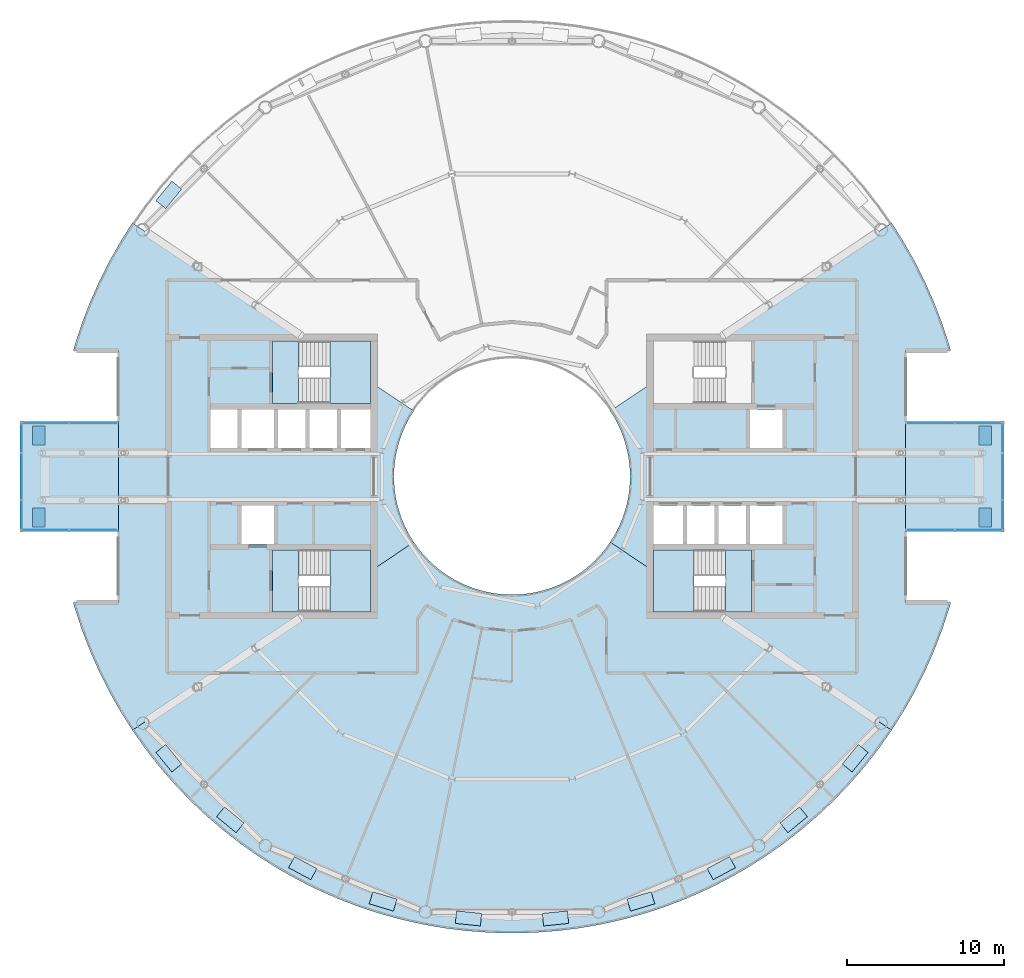
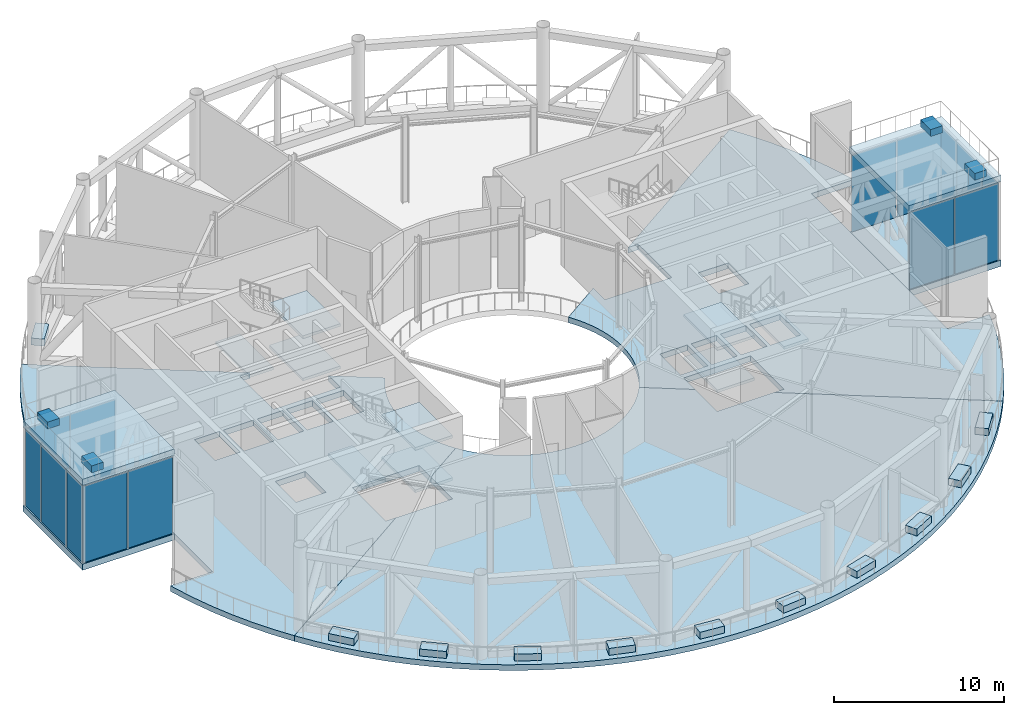
# One storey, part 11 of 24: 31 slabs, 14 plates, 9 elements without a shape of their own.
"""IFC4 building model written with IfcOpenShell, lengths in metres."""

from ifc_helpers import new_model, si_unit, direction, frame, origin, origin_2d, place, context, subcontext, project, spatial, polyline, rectangle, outline, extrude, material, layer, layer_set, type_object, element, aggregate, save


model = new_model("IFC4")

# Units and contexts
model_context = context("Model", 3, precision=1e-05, world=origin(), true_north=direction((0.0, 1.0)))
body_context = subcontext(model_context, "Body", "Model", "MODEL_VIEW")
ifc_project = project(units=[si_unit("LENGTHUNIT", "METRE"), si_unit("AREAUNIT", "SQUARE_METRE"), si_unit("VOLUMEUNIT", "CUBIC_METRE"), si_unit("PLANEANGLEUNIT", "RADIAN"), si_unit("MASSUNIT", "GRAM", prefix="KILO")], contexts=[model_context])

# Site, building, storey
site_placement = place(None, origin())
site = spatial("IfcSite", under=ifc_project, at=site_placement, CompositionType="ELEMENT")
building_placement = place(site_placement, origin())
building = spatial("IfcBuilding", under=site, at=building_placement, Name="Maasbend Ring Residences", CompositionType="ELEMENT")
storey_placement = place(building_placement, frame((0.0, 0.0, 221.85009765625)))
storey = spatial("IfcBuildingStorey", under=building, at=storey_placement, Name="L64", CompositionType="ELEMENT", Elevation=221.85009765625)

# Stair, slabs
ifc_material_1 = material(Name="Concrete C40/50", Category="concrete")
stair_type = type_object("IfcStairType", Name="CORE STAIR 36 RISERS", PredefinedType="HALF_TURN_STAIR", material=ifc_material_1)
stair_1_placement = place(storey_placement, origin())
stair_1 = element("IfcStair", 1, at=stair_1_placement, inside=storey, type_object=stair_type, Name="L64 Exit stair ST-E2", PredefinedType="HALF_TURN_STAIR")
ifc_material_2 = material(Name="Concrete C40/50", Category="concrete")
ifc_layer_1 = layer(ifc_material_2, 0.199951171875)
ifc_layer_set_1 = layer_set([ifc_layer_1], Name="Concrete C40/50")
slab_type_1 = type_object("IfcSlabType", Name="CORE STAIR LANDING 200", PredefinedType="LANDING", material=ifc_layer_set_1)
slab_1_placement = place(storey_placement, frame((0.0, 0.0, 1.324951171875)))
slab_1 = element("IfcSlab", 2, at=slab_1_placement, type_object=slab_type_1, Name="ST-E2 landing 1", PredefinedType="LANDING", context=body_context, shape_type="SweptSolid", body=[
    extrude(outline(polyline([(11.550048828125, -4.64990234375), (9.0, -4.64990234375), (9.0, -8.60009765625), (11.550048828125, -8.60009765625), (11.550048828125, -4.64990234375)])), origin(), (0.0, 0.0, 1.0), 0.199951171875),
])
slab_2_placement = place(storey_placement, frame((0.0, 0.0, 2.849853515625)))
slab_2 = element("IfcSlab", 3, at=slab_2_placement, type_object=slab_type_1, Name="ST-E2 landing 2", PredefinedType="LANDING", context=body_context, shape_type="SweptSolid", body=[
    extrude(outline(polyline([(15.199951171875, -4.64990234375), (13.550048828125, -4.64990234375), (13.550048828125, -8.60009765625), (15.199951171875, -8.60009765625), (15.199951171875, -4.64990234375)])), origin(), (0.0, 0.0, 1.0), 0.199951171875),
])
slab_3_placement = place(storey_placement, frame((0.0, 0.0, 4.375)))
slab_3 = element("IfcSlab", 4, at=slab_3_placement, type_object=slab_type_1, Name="ST-E2 landing 3", PredefinedType="LANDING", context=body_context, shape_type="SweptSolid", body=[
    extrude(outline(polyline([(11.550048828125, -4.64990234375), (9.0, -4.64990234375), (9.0, -8.60009765625), (11.550048828125, -8.60009765625), (11.550048828125, -4.64990234375)])), origin(), (0.0, 0.0, 1.0), 0.199951171875),
])
aggregate(stair_1, [slab_1, slab_2, slab_3])

stair_2_placement = place(storey_placement, origin())
stair_2 = element("IfcStair", 5, at=stair_2_placement, inside=storey, type_object=stair_type, Name="L64 Exit stair ST-W1", PredefinedType="HALF_TURN_STAIR")
slab_4_placement = place(storey_placement, frame((0.0, 0.0, 1.324951171875)))
slab_4 = element("IfcSlab", 6, at=slab_4_placement, type_object=slab_type_1, Name="ST-W1 landing 1", PredefinedType="LANDING", context=body_context, shape_type="SweptSolid", body=[
    extrude(outline(polyline([(-11.550048828125, -8.60009765625), (-9.0, -8.60009765625), (-9.0, -4.64990234375), (-11.550048828125, -4.64990234375), (-11.550048828125, -8.60009765625)])), origin(), (0.0, 0.0, 1.0), 0.199951171875),
])
slab_5_placement = place(storey_placement, frame((0.0, 0.0, 2.849853515625)))
slab_5 = element("IfcSlab", 7, at=slab_5_placement, type_object=slab_type_1, Name="ST-W1 landing 2", PredefinedType="LANDING", context=body_context, shape_type="SweptSolid", body=[
    extrude(outline(polyline([(-15.199951171875, -8.60009765625), (-13.550048828125, -8.60009765625), (-13.550048828125, -4.64990234375), (-15.199951171875, -4.64990234375), (-15.199951171875, -8.60009765625)])), origin(), (0.0, 0.0, 1.0), 0.199951171875),
])
slab_6_placement = place(storey_placement, frame((0.0, 0.0, 4.375)))
slab_6 = element("IfcSlab", 8, at=slab_6_placement, type_object=slab_type_1, Name="ST-W1 landing 3", PredefinedType="LANDING", context=body_context, shape_type="SweptSolid", body=[
    extrude(outline(polyline([(-11.550048828125, -8.60009765625), (-9.0, -8.60009765625), (-9.0, -4.64990234375), (-11.550048828125, -4.64990234375), (-11.550048828125, -8.60009765625)])), origin(), (0.0, 0.0, 1.0), 0.199951171875),
])
aggregate(stair_2, [slab_4, slab_5, slab_6])

stair_3_placement = place(storey_placement, origin())
stair_3 = element("IfcStair", 9, at=stair_3_placement, inside=storey, type_object=stair_type, Name="L64 Exit stair ST-W2", PredefinedType="HALF_TURN_STAIR")
slab_7_placement = place(storey_placement, frame((0.0, 0.0, 1.324951171875)))
slab_7 = element("IfcSlab", 10, at=slab_7_placement, type_object=slab_type_1, Name="ST-W2 landing 1", PredefinedType="LANDING", context=body_context, shape_type="SweptSolid", body=[
    extrude(outline(polyline([(-11.550048828125, 4.64990234375), (-9.0, 4.64990234375), (-9.0, 8.60009765625), (-11.550048828125, 8.60009765625), (-11.550048828125, 4.64990234375)])), origin(), (0.0, 0.0, 1.0), 0.199951171875),
])
slab_8_placement = place(storey_placement, frame((0.0, 0.0, 2.849853515625)))
slab_8 = element("IfcSlab", 11, at=slab_8_placement, type_object=slab_type_1, Name="ST-W2 landing 2", PredefinedType="LANDING", context=body_context, shape_type="SweptSolid", body=[
    extrude(outline(polyline([(-15.199951171875, 4.64990234375), (-13.550048828125, 4.64990234375), (-13.550048828125, 8.60009765625), (-15.199951171875, 8.60009765625), (-15.199951171875, 4.64990234375)])), origin(), (0.0, 0.0, 1.0), 0.199951171875),
])
slab_9_placement = place(storey_placement, frame((0.0, 0.0, 4.375)))
slab_9 = element("IfcSlab", 12, at=slab_9_placement, type_object=slab_type_1, Name="ST-W2 landing 3", PredefinedType="LANDING", context=body_context, shape_type="SweptSolid", body=[
    extrude(outline(polyline([(-11.550048828125, 4.64990234375), (-9.0, 4.64990234375), (-9.0, 8.60009765625), (-11.550048828125, 8.60009765625), (-11.550048828125, 4.64990234375)])), origin(), (0.0, 0.0, 1.0), 0.199951171875),
])
aggregate(stair_3, [slab_7, slab_8, slab_9])

# Curtain wall, plates
ifc_material_3 = material(Name="Aluminium and clear glass", Category="aluminium")
ifc_layer_2 = layer(ifc_material_3, 0.199951171875)
ifc_layer_set_2 = layer_set([ifc_layer_2], Name="CW-GR")
curtain_wall_type = type_object("IfcCurtainWallType", Name="CW-GR", PredefinedType="NOTDEFINED", material=ifc_layer_set_2)
curtain_wall_1_placement = place(storey_placement, origin())
curtain_wall_1 = element("IfcCurtainWall", 13, at=curtain_wall_1_placement, inside=storey, type_object=curtain_wall_type, Name="Glass lounge curtain wall tip", PredefinedType="NOTDEFINED")
ifc_material_4 = material(Name="Glass clear laminated", Category="glass")
ifc_layer_3 = layer(ifc_material_4, 0.035888671875)
ifc_layer_set_3 = layer_set([ifc_layer_3], Name="CWP-GR")
plate_type = type_object("IfcPlateType", Name="CWP-GR", PredefinedType="CURTAIN_PANEL", material=ifc_layer_set_3)
plate_1_placement = place(storey_placement, frame((31.14990234375, -2.482421875, 0.0), z_axis=(0.0, 0.0, 1.0), x_axis=(0.0, 1.0, 0.0)))
plate_1 = element("IfcPlate", 14, at=plate_1_placement, type_object=plate_type, Name="Glass panel glass room", PredefinedType="CURTAIN_PANEL", context=body_context, shape_type="SweptSolid", body=[
    extrude(rectangle(XDim=1.89501953125, YDim=0.035888671875, at=origin_2d()), origin(), (0.0, 0.0, 1.0), 5.510009765625),
])
plate_2_placement = place(storey_placement, frame((31.14990234375, 0.0, 0.0), z_axis=(0.0, 0.0, 1.0), x_axis=(0.0, 1.0, 0.0)))
plate_2 = element("IfcPlate", 15, at=plate_2_placement, type_object=plate_type, Name="Glass panel glass room", PredefinedType="CURTAIN_PANEL", context=body_context, shape_type="SweptSolid", body=[
    extrude(rectangle(XDim=2.929931640625, YDim=0.035888671875, at=origin_2d()), origin(), (0.0, 0.0, 1.0), 5.510009765625),
])
plate_3_placement = place(storey_placement, frame((31.14990234375, 2.482421875, 0.0), z_axis=(0.0, 0.0, 1.0), x_axis=(0.0, 1.0, 0.0)))
plate_3 = element("IfcPlate", 16, at=plate_3_placement, type_object=plate_type, Name="Glass panel glass room", PredefinedType="CURTAIN_PANEL", context=body_context, shape_type="SweptSolid", body=[
    extrude(rectangle(XDim=1.89501953125, YDim=0.035888671875, at=origin_2d()), origin(), (0.0, 0.0, 1.0), 5.510009765625),
])
aggregate(curtain_wall_1, [plate_1, plate_2, plate_3])

curtain_wall_2_placement = place(storey_placement, origin())
curtain_wall_2 = element("IfcCurtainWall", 17, at=curtain_wall_2_placement, inside=storey, type_object=curtain_wall_type, Name="Glass lounge curtain wall south", PredefinedType="NOTDEFINED")
plate_4_placement = place(storey_placement, frame((26.580078125, -3.39990234375, 0.0), z_axis=(0.0, 0.0, 1.0), x_axis=(1.0, 0.0, 0.0)))
plate_4 = element("IfcPlate", 18, at=plate_4_placement, type_object=plate_type, Name="Glass panel glass room", PredefinedType="CURTAIN_PANEL", context=body_context, shape_type="SweptSolid", body=[
    extrude(rectangle(XDim=3.02001953125, YDim=0.035888671875, at=origin_2d()), origin(), (0.0, 0.0, 1.0), 5.510009765625),
])
plate_5_placement = place(storey_placement, frame((29.669921875, -3.39990234375, 0.0), z_axis=(0.0, 0.0, 1.0), x_axis=(1.0, 0.0, 0.0)))
plate_5 = element("IfcPlate", 19, at=plate_5_placement, type_object=plate_type, Name="Glass panel glass room", PredefinedType="CURTAIN_PANEL", context=body_context, shape_type="SweptSolid", body=[
    extrude(rectangle(XDim=3.02001953125, YDim=0.035888671875, at=origin_2d()), origin(), (0.0, 0.0, 1.0), 5.510009765625),
])
aggregate(curtain_wall_2, [plate_4, plate_5])

curtain_wall_3_placement = place(storey_placement, origin())
curtain_wall_3 = element("IfcCurtainWall", 20, at=curtain_wall_3_placement, inside=storey, type_object=curtain_wall_type, Name="Glass lounge curtain wall north", PredefinedType="NOTDEFINED")
plate_6_placement = place(storey_placement, frame((26.580078125, 3.39990234375, 0.0), z_axis=(0.0, 0.0, 1.0), x_axis=(1.0, 0.0, 0.0)))
plate_6 = element("IfcPlate", 21, at=plate_6_placement, type_object=plate_type, Name="Glass panel glass room", PredefinedType="CURTAIN_PANEL", context=body_context, shape_type="SweptSolid", body=[
    extrude(rectangle(XDim=3.02001953125, YDim=0.035888671875, at=origin_2d()), origin(), (0.0, 0.0, 1.0), 5.510009765625),
])
plate_7_placement = place(storey_placement, frame((29.669921875, 3.39990234375, 0.0), z_axis=(0.0, 0.0, 1.0), x_axis=(1.0, 0.0, 0.0)))
plate_7 = element("IfcPlate", 22, at=plate_7_placement, type_object=plate_type, Name="Glass panel glass room", PredefinedType="CURTAIN_PANEL", context=body_context, shape_type="SweptSolid", body=[
    extrude(rectangle(XDim=3.02001953125, YDim=0.035888671875, at=origin_2d()), origin(), (0.0, 0.0, 1.0), 5.510009765625),
])
aggregate(curtain_wall_3, [plate_6, plate_7])

curtain_wall_4_placement = place(storey_placement, origin())
curtain_wall_4 = element("IfcCurtainWall", 23, at=curtain_wall_4_placement, inside=storey, type_object=curtain_wall_type, Name="Glass lounge curtain wall tip", PredefinedType="NOTDEFINED")
plate_8_placement = place(storey_placement, frame((-31.14990234375, -2.482421875, 0.0), z_axis=(0.0, 0.0, 1.0), x_axis=(0.0, 1.0, 0.0)))
plate_8 = element("IfcPlate", 24, at=plate_8_placement, type_object=plate_type, Name="Glass panel glass room", PredefinedType="CURTAIN_PANEL", context=body_context, shape_type="SweptSolid", body=[
    extrude(rectangle(XDim=1.89501953125, YDim=0.035888671875, at=origin_2d()), origin(), (0.0, 0.0, 1.0), 5.510009765625),
])
plate_9_placement = place(storey_placement, frame((-31.14990234375, 0.0, 0.0), z_axis=(0.0, 0.0, 1.0), x_axis=(0.0, 1.0, 0.0)))
plate_9 = element("IfcPlate", 25, at=plate_9_placement, type_object=plate_type, Name="Glass panel glass room", PredefinedType="CURTAIN_PANEL", context=body_context, shape_type="SweptSolid", body=[
    extrude(rectangle(XDim=2.929931640625, YDim=0.035888671875, at=origin_2d()), origin(), (0.0, 0.0, 1.0), 5.510009765625),
])
plate_10_placement = place(storey_placement, frame((-31.14990234375, 2.482421875, 0.0), z_axis=(0.0, 0.0, 1.0), x_axis=(0.0, 1.0, 0.0)))
plate_10 = element("IfcPlate", 26, at=plate_10_placement, type_object=plate_type, Name="Glass panel glass room", PredefinedType="CURTAIN_PANEL", context=body_context, shape_type="SweptSolid", body=[
    extrude(rectangle(XDim=1.89501953125, YDim=0.035888671875, at=origin_2d()), origin(), (0.0, 0.0, 1.0), 5.510009765625),
])
aggregate(curtain_wall_4, [plate_8, plate_9, plate_10])

curtain_wall_5_placement = place(storey_placement, origin())
curtain_wall_5 = element("IfcCurtainWall", 27, at=curtain_wall_5_placement, inside=storey, type_object=curtain_wall_type, Name="Glass lounge curtain wall south", PredefinedType="NOTDEFINED")
plate_11_placement = place(storey_placement, frame((-26.580078125, -3.39990234375, 0.0), z_axis=(0.0, 0.0, 1.0), x_axis=(-1.0, 0.0, 0.0)))
plate_11 = element("IfcPlate", 28, at=plate_11_placement, type_object=plate_type, Name="Glass panel glass room", PredefinedType="CURTAIN_PANEL", context=body_context, shape_type="SweptSolid", body=[
    extrude(rectangle(XDim=3.02001953125, YDim=0.035888671875, at=origin_2d()), origin(), (0.0, 0.0, 1.0), 5.510009765625),
])
plate_12_placement = place(storey_placement, frame((-29.669921875, -3.39990234375, 0.0), z_axis=(0.0, 0.0, 1.0), x_axis=(-1.0, 0.0, 0.0)))
plate_12 = element("IfcPlate", 29, at=plate_12_placement, type_object=plate_type, Name="Glass panel glass room", PredefinedType="CURTAIN_PANEL", context=body_context, shape_type="SweptSolid", body=[
    extrude(rectangle(XDim=3.02001953125, YDim=0.035888671875, at=origin_2d()), origin(), (0.0, 0.0, 1.0), 5.510009765625),
])
aggregate(curtain_wall_5, [plate_11, plate_12])

curtain_wall_6_placement = place(storey_placement, origin())
curtain_wall_6 = element("IfcCurtainWall", 30, at=curtain_wall_6_placement, inside=storey, type_object=curtain_wall_type, Name="Glass lounge curtain wall north", PredefinedType="NOTDEFINED")
plate_13_placement = place(storey_placement, frame((-26.580078125, 3.39990234375, 0.0), z_axis=(0.0, 0.0, 1.0), x_axis=(-1.0, 0.0, 0.0)))
plate_13 = element("IfcPlate", 31, at=plate_13_placement, type_object=plate_type, Name="Glass panel glass room", PredefinedType="CURTAIN_PANEL", context=body_context, shape_type="SweptSolid", body=[
    extrude(rectangle(XDim=3.02001953125, YDim=0.035888671875, at=origin_2d()), origin(), (0.0, 0.0, 1.0), 5.510009765625),
])
plate_14_placement = place(storey_placement, frame((-29.669921875, 3.39990234375, 0.0), z_axis=(0.0, 0.0, 1.0), x_axis=(-1.0, 0.0, 0.0)))
plate_14 = element("IfcPlate", 32, at=plate_14_placement, type_object=plate_type, Name="Glass panel glass room", PredefinedType="CURTAIN_PANEL", context=body_context, shape_type="SweptSolid", body=[
    extrude(rectangle(XDim=3.02001953125, YDim=0.035888671875, at=origin_2d()), origin(), (0.0, 0.0, 1.0), 5.510009765625),
])
aggregate(curtain_wall_6, [plate_13, plate_14])

# Slabs
ifc_material_5 = material(Name="Lawn and planting")
ifc_layer_4 = layer(ifc_material_5, 0.5)
ifc_layer_set_4 = layer_set([ifc_layer_4], Name="PLANTER-GD")
slab_type_2 = type_object("IfcSlabType", Name="PLANTER-GD", PredefinedType="USERDEFINED", material=ifc_layer_set_4)
slab_10_placement = place(storey_placement, origin())
element("IfcSlab", 33, at=slab_10_placement, inside=storey, type_object=slab_type_2, Name="Garden planter 10", ObjectType="PLANTER", PredefinedType="USERDEFINED", context=body_context, shape_type="SweptSolid", body=[
    extrude(outline(polyline([(-21.60107421875, 18.761962890625), (-22.615966796875, 17.52490234375), (-21.9970703125, 17.01806640625), (-20.98193359375, 18.2548828125), (-21.60107421875, 18.761962890625)])), origin(), (0.0, 0.0, 1.0), 0.5),
])
slab_11_placement = place(storey_placement, origin())
element("IfcSlab", 34, at=slab_11_placement, inside=storey, type_object=slab_type_2, Name="Garden planter 11", ObjectType="PLANTER", PredefinedType="USERDEFINED", context=body_context, shape_type="SweptSolid", body=[
    extrude(outline(polyline([(-22.615966796875, -17.52490234375), (-21.60107421875, -18.761962890625), (-20.98193359375, -18.2548828125), (-21.9970703125, -17.01806640625), (-22.615966796875, -17.52490234375)])), origin(), (0.0, 0.0, 1.0), 0.5),
])
slab_12_placement = place(storey_placement, origin())
element("IfcSlab", 35, at=slab_12_placement, inside=storey, type_object=slab_type_2, Name="Garden planter 12", ObjectType="PLANTER", PredefinedType="USERDEFINED", context=body_context, shape_type="SweptSolid", body=[
    extrude(outline(polyline([(-18.761962890625, -21.60107421875), (-17.52490234375, -22.615966796875), (-17.01806640625, -21.9970703125), (-18.2548828125, -20.98193359375), (-18.761962890625, -21.60107421875)])), origin(), (0.0, 0.0, 1.0), 0.5),
])
slab_13_placement = place(storey_placement, origin())
element("IfcSlab", 36, at=slab_13_placement, inside=storey, type_object=slab_type_2, Name="Garden planter 13", ObjectType="PLANTER", PredefinedType="USERDEFINED", context=body_context, shape_type="SweptSolid", body=[
    extrude(outline(polyline([(-14.18701171875, -24.845947265625), (-12.77587890625, -25.60009765625), (-12.39892578125, -24.89501953125), (-13.81005859375, -24.139892578125), (-14.18701171875, -24.845947265625)])), origin(), (0.0, 0.0, 1.0), 0.5),
])
slab_14_placement = place(storey_placement, origin())
element("IfcSlab", 37, at=slab_14_placement, inside=storey, type_object=slab_type_2, Name="Garden planter 14", ObjectType="PLANTER", PredefinedType="USERDEFINED", context=body_context, shape_type="SweptSolid", body=[
    extrude(outline(polyline([(-9.068115234375, -27.135986328125), (-7.537109375, -27.60107421875), (-7.303955078125, -26.8349609375), (-8.8349609375, -26.37109375), (-9.068115234375, -27.135986328125)])), origin(), (0.0, 0.0, 1.0), 0.5),
])
slab_15_placement = place(storey_placement, origin())
element("IfcSlab", 38, at=slab_15_placement, inside=storey, type_object=slab_type_2, Name="Garden planter 15", ObjectType="PLANTER", PredefinedType="USERDEFINED", context=body_context, shape_type="SweptSolid", body=[
    extrude(outline(polyline([(-3.59912109375, -28.384033203125), (-2.007080078125, -28.541015625), (-1.928955078125, -27.7451171875), (-3.52099609375, -27.587890625), (-3.59912109375, -28.384033203125)])), origin(), (0.0, 0.0, 1.0), 0.5),
])
slab_16_placement = place(storey_placement, origin())
element("IfcSlab", 39, at=slab_16_placement, inside=storey, type_object=slab_type_2, Name="Garden planter 16", ObjectType="PLANTER", PredefinedType="USERDEFINED", context=body_context, shape_type="SweptSolid", body=[
    extrude(outline(polyline([(2.007080078125, -28.541015625), (3.59912109375, -28.384033203125), (3.52099609375, -27.587890625), (1.928955078125, -27.7451171875), (2.007080078125, -28.541015625)])), origin(), (0.0, 0.0, 1.0), 0.5),
])
slab_17_placement = place(storey_placement, origin())
element("IfcSlab", 40, at=slab_17_placement, inside=storey, type_object=slab_type_2, Name="Garden planter 17", ObjectType="PLANTER", PredefinedType="USERDEFINED", context=body_context, shape_type="SweptSolid", body=[
    extrude(outline(polyline([(7.537109375, -27.60107421875), (9.068115234375, -27.135986328125), (8.8349609375, -26.37109375), (7.303955078125, -26.8349609375), (7.537109375, -27.60107421875)])), origin(), (0.0, 0.0, 1.0), 0.5),
])
slab_18_placement = place(storey_placement, origin())
element("IfcSlab", 41, at=slab_18_placement, inside=storey, type_object=slab_type_2, Name="Garden planter 18", ObjectType="PLANTER", PredefinedType="USERDEFINED", context=body_context, shape_type="SweptSolid", body=[
    extrude(outline(polyline([(12.77587890625, -25.60009765625), (14.18701171875, -24.845947265625), (13.81005859375, -24.139892578125), (12.39892578125, -24.89501953125), (12.77587890625, -25.60009765625)])), origin(), (0.0, 0.0, 1.0), 0.5),
])
slab_19_placement = place(storey_placement, origin())
element("IfcSlab", 42, at=slab_19_placement, inside=storey, type_object=slab_type_2, Name="Garden planter 19", ObjectType="PLANTER", PredefinedType="USERDEFINED", context=body_context, shape_type="SweptSolid", body=[
    extrude(outline(polyline([(17.52490234375, -22.615966796875), (18.761962890625, -21.60107421875), (18.2548828125, -20.98193359375), (17.01806640625, -21.9970703125), (17.52490234375, -22.615966796875)])), origin(), (0.0, 0.0, 1.0), 0.5),
])
slab_20_placement = place(storey_placement, origin())
element("IfcSlab", 43, at=slab_20_placement, inside=storey, type_object=slab_type_2, Name="Garden planter 20", ObjectType="PLANTER", PredefinedType="USERDEFINED", context=body_context, shape_type="SweptSolid", body=[
    extrude(outline(polyline([(21.60107421875, -18.761962890625), (22.615966796875, -17.52490234375), (21.9970703125, -17.01806640625), (20.98193359375, -18.2548828125), (21.60107421875, -18.761962890625)])), origin(), (0.0, 0.0, 1.0), 0.5),
])
slab_21_placement = place(storey_placement, frame((0.0, 0.0, 6.099853515625)))
element("IfcSlab", 44, at=slab_21_placement, inside=storey, type_object=slab_type_2, Name="Terrace planter 1", ObjectType="PLANTER", PredefinedType="USERDEFINED", context=body_context, shape_type="SweptSolid", body=[
    extrude(outline(polyline([(29.64990234375, -3.199951171875), (30.449951171875, -3.199951171875), (30.449951171875, -2.0), (29.64990234375, -2.0), (29.64990234375, -3.199951171875)])), origin(), (0.0, 0.0, 1.0), 0.5),
])
slab_22_placement = place(storey_placement, frame((0.0, 0.0, 6.099853515625)))
element("IfcSlab", 45, at=slab_22_placement, inside=storey, type_object=slab_type_2, Name="Terrace planter 2", ObjectType="PLANTER", PredefinedType="USERDEFINED", context=body_context, shape_type="SweptSolid", body=[
    extrude(outline(polyline([(29.64990234375, 2.0), (30.449951171875, 2.0), (30.449951171875, 3.199951171875), (29.64990234375, 3.199951171875), (29.64990234375, 2.0)])), origin(), (0.0, 0.0, 1.0), 0.5),
])
slab_23_placement = place(storey_placement, frame((0.0, 0.0, 6.099853515625)))
element("IfcSlab", 46, at=slab_23_placement, inside=storey, type_object=slab_type_2, Name="Terrace planter 1", ObjectType="PLANTER", PredefinedType="USERDEFINED", context=body_context, shape_type="SweptSolid", body=[
    extrude(outline(polyline([(-30.449951171875, -3.199951171875), (-29.64990234375, -3.199951171875), (-29.64990234375, -2.0), (-30.449951171875, -2.0), (-30.449951171875, -3.199951171875)])), origin(), (0.0, 0.0, 1.0), 0.5),
])
slab_24_placement = place(storey_placement, frame((0.0, 0.0, 6.099853515625)))
element("IfcSlab", 47, at=slab_24_placement, inside=storey, type_object=slab_type_2, Name="Terrace planter 2", ObjectType="PLANTER", PredefinedType="USERDEFINED", context=body_context, shape_type="SweptSolid", body=[
    extrude(outline(polyline([(-30.449951171875, 2.0), (-29.64990234375, 2.0), (-29.64990234375, 3.199951171875), (-30.449951171875, 3.199951171875), (-30.449951171875, 2.0)])), origin(), (0.0, 0.0, 1.0), 0.5),
])
ifc_material_6 = material(Name="Concrete C40/50", Category="concrete")
ifc_layer_5 = layer(ifc_material_6, 0.39990234375)
ifc_layer_set_5 = layer_set([ifc_layer_5], Name="Concrete C40/50")
slab_type_3 = type_object("IfcSlabType", Name="Post-tensioned flat plate 400", PredefinedType="FLOOR", material=ifc_layer_set_5)
slab_25_placement = place(storey_placement, frame((0.0, 0.0, -0.400146484375)))
element("IfcSlab", 48, at=slab_25_placement, inside=storey, type_object=slab_type_3, Name="Floor slab L64 sky garden", PredefinedType="FLOOR", context=body_context, shape_type="SweptSolid", body=[
    extrude(outline(polyline([(24.112548828125, -16.111572265625), (12.870849609375, -8.60009765625), (9.0, -8.60009765625), (9.0, -6.013671875), (6.236083984375, -4.166748046875), (6.024169921875, -4.4677734375), (5.797607421875, -4.7578125), (5.55712890625, -5.03662109375), (5.30322265625, -5.30322265625), (5.03662109375, -5.55712890625), (4.7578125, -5.797607421875), (4.4677734375, -6.024169921875), (4.166748046875, -6.236083984375), (3.855712890625, -6.43310546875), (3.535400390625, -6.614501953125), (3.206787109375, -6.77978515625), (2.8701171875, -6.92919921875), (2.526611328125, -7.0615234375), (2.177001953125, -7.177001953125), (1.822509765625, -7.275146484375), (1.463134765625, -7.35595703125), (1.1005859375, -7.418701171875), (0.735107421875, -7.4638671875), (0.367919921875, -7.490966796875), (0.0, -7.5), (-0.367919921875, -7.490966796875), (-0.735107421875, -7.4638671875), (-1.1005859375, -7.418701171875), (-1.463134765625, -7.35595703125), (-1.822509765625, -7.275146484375), (-2.177001953125, -7.177001953125), (-2.526611328125, -7.0615234375), (-2.8701171875, -6.92919921875), (-3.206787109375, -6.77978515625), (-3.535400390625, -6.614501953125), (-3.855712890625, -6.43310546875), (-4.166748046875, -6.236083984375), (-4.4677734375, -6.024169921875), (-4.7578125, -5.797607421875), (-5.03662109375, -5.55712890625), (-5.30322265625, -5.30322265625), (-5.55712890625, -5.03662109375), (-5.797607421875, -4.7578125), (-6.024169921875, -4.4677734375), (-6.236083984375, -4.166748046875), (-9.0, -6.013671875), (-9.0, -8.60009765625), (-12.870849609375, -8.60009765625), (-24.112548828125, -16.111572265625), (-23.29296875, -17.275390625), (-22.417236328125, -18.3974609375), (-21.487548828125, -19.47509765625), (-20.506103515625, -20.506103515625), (-19.47509765625, -21.487548828125), (-18.3974609375, -22.417236328125), (-17.275390625, -23.29296875), (-16.111572265625, -24.112548828125), (-14.908935546875, -24.8740234375), (-13.67041015625, -25.57568359375), (-12.399169921875, -26.2158203125), (-11.097900390625, -26.79248046875), (-9.769775390625, -27.3046875), (-8.418212890625, -27.751220703125), (-7.04638671875, -28.130859375), (-5.65771484375, -28.44287109375), (-4.255126953125, -28.68603515625), (-2.842529296875, -28.8603515625), (-1.423095703125, -28.965087890625), (0.0, -29.0), (1.423095703125, -28.965087890625), (2.842529296875, -28.8603515625), (4.255126953125, -28.68603515625), (5.65771484375, -28.44287109375), (7.04638671875, -28.130859375), (8.418212890625, -27.751220703125), (9.769775390625, -27.3046875), (11.097900390625, -26.79248046875), (12.399169921875, -26.2158203125), (13.67041015625, -25.57568359375), (14.908935546875, -24.8740234375), (16.111572265625, -24.112548828125), (17.275390625, -23.29296875), (18.3974609375, -22.417236328125), (19.47509765625, -21.487548828125), (20.506103515625, -20.506103515625), (21.487548828125, -19.47509765625), (22.417236328125, -18.3974609375), (23.29296875, -17.275390625), (24.112548828125, -16.111572265625)])), origin(), (0.0, 0.0, 1.0), 0.400146484375),
])
slab_26_placement = place(storey_placement, frame((0.0, 0.0, -0.400146484375)))
element("IfcSlab", 49, at=slab_26_placement, inside=storey, type_object=slab_type_3, Name="Floor slab L64 core zone", PredefinedType="FLOOR", context=body_context, shape_type="SweptSolid", body=[
    extrude(outline(polyline([(26.2158203125, -12.399169921875), (26.79248046875, -11.097900390625), (27.3046875, -9.769775390625), (27.751220703125, -8.418212890625), (27.866943359375, -8.0), (25.0, -8.0), (25.0, 8.0), (27.866943359375, 8.0), (27.751220703125, 8.418212890625), (27.3046875, 9.769775390625), (26.79248046875, 11.097900390625), (26.2158203125, 12.399169921875), (25.57568359375, 13.67041015625), (24.8740234375, 14.908935546875), (24.112548828125, 16.111572265625), (12.870849609375, 8.60009765625), (13.550048828125, 8.60009765625), (13.550048828125, 4.64990234375), (9.0, 4.64990234375), (9.0, 6.013671875), (6.236083984375, 4.166748046875), (6.43310546875, 3.855712890625), (6.614501953125, 3.535400390625), (6.77978515625, 3.206787109375), (6.92919921875, 2.8701171875), (7.0615234375, 2.526611328125), (7.177001953125, 2.177001953125), (7.275146484375, 1.822509765625), (7.35595703125, 1.463134765625), (7.418701171875, 1.1005859375), (7.4638671875, 0.735107421875), (7.490966796875, 0.367919921875), (7.5, 0.0), (7.490966796875, -0.367919921875), (7.4638671875, -0.735107421875), (7.418701171875, -1.1005859375), (7.35595703125, -1.463134765625), (7.275146484375, -1.822509765625), (7.177001953125, -2.177001953125), (7.0615234375, -2.526611328125), (6.92919921875, -2.8701171875), (6.77978515625, -3.206787109375), (6.614501953125, -3.535400390625), (6.43310546875, -3.855712890625), (6.236083984375, -4.166748046875), (9.0, -6.013671875), (9.0, -4.64990234375), (13.550048828125, -4.64990234375), (13.550048828125, -8.60009765625), (12.870849609375, -8.60009765625), (24.112548828125, -16.111572265625), (24.8740234375, -14.908935546875), (25.57568359375, -13.67041015625), (26.2158203125, -12.399169921875)]), holes=[polyline([(17.175048828125, -4.27490234375), (15.125, -4.27490234375), (15.125, -1.824951171875), (17.175048828125, -1.824951171875), (17.175048828125, -4.27490234375)]), polyline([(17.175048828125, 1.824951171875), (15.125, 1.824951171875), (15.125, 4.27490234375), (17.175048828125, 4.27490234375), (17.175048828125, 1.824951171875)]), polyline([(14.875, -4.27490234375), (13.125, -4.27490234375), (13.125, -1.824951171875), (14.875, -1.824951171875), (14.875, -4.27490234375)]), polyline([(12.875, -4.27490234375), (11.125, -4.27490234375), (11.125, -1.824951171875), (12.875, -1.824951171875), (12.875, -4.27490234375)]), polyline([(10.875, -4.27490234375), (9.0, -4.27490234375), (9.0, -1.824951171875), (10.875, -1.824951171875), (10.875, -4.27490234375)])]), origin(), (0.0, 0.0, 1.0), 0.400146484375),
])
slab_27_placement = place(storey_placement, frame((0.0, 0.0, -0.400146484375)))
element("IfcSlab", 50, at=slab_27_placement, inside=storey, type_object=slab_type_3, Name="Floor slab L64 core zone", PredefinedType="FLOOR", context=body_context, shape_type="SweptSolid", body=[
    extrude(outline(polyline([(-24.112548828125, -16.111572265625), (-12.870849609375, -8.60009765625), (-13.550048828125, -8.60009765625), (-13.550048828125, -4.64990234375), (-9.0, -4.64990234375), (-9.0, -6.013671875), (-6.236083984375, -4.166748046875), (-6.43310546875, -3.855712890625), (-6.614501953125, -3.535400390625), (-6.77978515625, -3.206787109375), (-6.92919921875, -2.8701171875), (-7.0615234375, -2.526611328125), (-7.177001953125, -2.177001953125), (-7.275146484375, -1.822509765625), (-7.35595703125, -1.463134765625), (-7.418701171875, -1.1005859375), (-7.4638671875, -0.735107421875), (-7.490966796875, -0.367919921875), (-7.5, 0.0), (-7.490966796875, 0.367919921875), (-7.4638671875, 0.735107421875), (-7.418701171875, 1.1005859375), (-7.35595703125, 1.463134765625), (-7.275146484375, 1.822509765625), (-7.177001953125, 2.177001953125), (-7.0615234375, 2.526611328125), (-6.92919921875, 2.8701171875), (-6.77978515625, 3.206787109375), (-6.614501953125, 3.535400390625), (-6.43310546875, 3.855712890625), (-6.236083984375, 4.166748046875), (-9.0, 6.013671875), (-9.0, 4.64990234375), (-13.550048828125, 4.64990234375), (-13.550048828125, 8.60009765625), (-12.870849609375, 8.60009765625), (-24.112548828125, 16.111572265625), (-24.112548828125, 16.111572265625), (-24.8740234375, 14.908935546875), (-25.57568359375, 13.67041015625), (-26.2158203125, 12.399169921875), (-26.79248046875, 11.097900390625), (-27.3046875, 9.769775390625), (-27.751220703125, 8.418212890625), (-27.866943359375, 8.0), (-25.0, 8.0), (-25.0, -8.0), (-27.866943359375, -8.0), (-27.751220703125, -8.418212890625), (-27.3046875, -9.769775390625), (-26.79248046875, -11.097900390625), (-26.2158203125, -12.399169921875), (-25.57568359375, -13.67041015625), (-24.8740234375, -14.908935546875), (-24.112548828125, -16.111572265625)]), holes=[polyline([(-10.875, 4.27490234375), (-9.0, 4.27490234375), (-9.0, 1.824951171875), (-10.875, 1.824951171875), (-10.875, 4.27490234375)]), polyline([(-12.875, 4.27490234375), (-11.125, 4.27490234375), (-11.125, 1.824951171875), (-12.875, 1.824951171875), (-12.875, 4.27490234375)]), polyline([(-14.875, 4.27490234375), (-13.125, 4.27490234375), (-13.125, 1.824951171875), (-14.875, 1.824951171875), (-14.875, 4.27490234375)]), polyline([(-17.175048828125, -1.824951171875), (-15.125, -1.824951171875), (-15.125, -4.27490234375), (-17.175048828125, -4.27490234375), (-17.175048828125, -1.824951171875)]), polyline([(-17.175048828125, 4.27490234375), (-15.125, 4.27490234375), (-15.125, 1.824951171875), (-17.175048828125, 1.824951171875), (-17.175048828125, 4.27490234375)]), polyline([(-19.14990234375, 4.27490234375), (-17.425048828125, 4.27490234375), (-17.425048828125, 1.824951171875), (-19.14990234375, 1.824951171875), (-19.14990234375, 4.27490234375)])]), origin(), (0.0, 0.0, 1.0), 0.400146484375),
])
ifc_material_7 = material(Name="Concrete C40/50", Category="concrete")
ifc_layer_6 = layer(ifc_material_7, 0.449951171875)
ifc_layer_set_6 = layer_set([ifc_layer_6], Name="Concrete C40/50")
slab_type_4 = type_object("IfcSlabType", Name="SL-ROOM", PredefinedType="FLOOR", material=ifc_layer_set_6)
slab_28_placement = place(storey_placement, frame((0.0, 0.0, -0.4501953125)))
element("IfcSlab", 51, at=slab_28_placement, inside=storey, type_object=slab_type_4, Name="Glass lounge floor", PredefinedType="FLOOR", context=body_context, shape_type="SweptSolid", body=[
    extrude(outline(polyline([(25.0, -3.5), (31.25, -3.5), (31.25, 3.5), (25.0, 3.5), (25.0, -3.5)])), origin(), (0.0, 0.0, 1.0), 0.4501953125),
])
slab_29_placement = place(storey_placement, frame((0.0, 0.0, -0.4501953125)))
element("IfcSlab", 52, at=slab_29_placement, inside=storey, type_object=slab_type_4, Name="Glass lounge floor", PredefinedType="FLOOR", context=body_context, shape_type="SweptSolid", body=[
    extrude(outline(polyline([(-31.25, -3.5), (-25.0, -3.5), (-25.0, 3.5), (-31.25, 3.5), (-31.25, -3.5)])), origin(), (0.0, 0.0, 1.0), 0.4501953125),
])
ifc_material_8 = material(Name="Concrete C40/50", Category="concrete")
ifc_layer_7 = layer(ifc_material_8, 0.449951171875)
ifc_layer_set_7 = layer_set([ifc_layer_7], Name="Concrete C40/50")
slab_type_5 = type_object("IfcSlabType", Name="SL-TERRACE", PredefinedType="ROOF", material=ifc_layer_set_7)
slab_30_placement = place(storey_placement, frame((0.0, 0.0, 5.64990234375)))
element("IfcSlab", 53, at=slab_30_placement, inside=storey, type_object=slab_type_5, Name="Glass lounge roof terrace", PredefinedType="ROOF", context=body_context, shape_type="SweptSolid", body=[
    extrude(outline(polyline([(25.0, -3.5), (31.25, -3.5), (31.25, 3.5), (25.0, 3.5), (25.0, -3.5)])), origin(), (0.0, 0.0, 1.0), 0.449951171875),
])
slab_31_placement = place(storey_placement, frame((0.0, 0.0, 5.64990234375)))
element("IfcSlab", 54, at=slab_31_placement, inside=storey, type_object=slab_type_5, Name="Glass lounge roof terrace", PredefinedType="ROOF", context=body_context, shape_type="SweptSolid", body=[
    extrude(outline(polyline([(-31.25, -3.5), (-25.0, -3.5), (-25.0, 3.5), (-31.25, 3.5), (-31.25, -3.5)])), origin(), (0.0, 0.0, 1.0), 0.449951171875),
])

save(model, "model.ifc")
